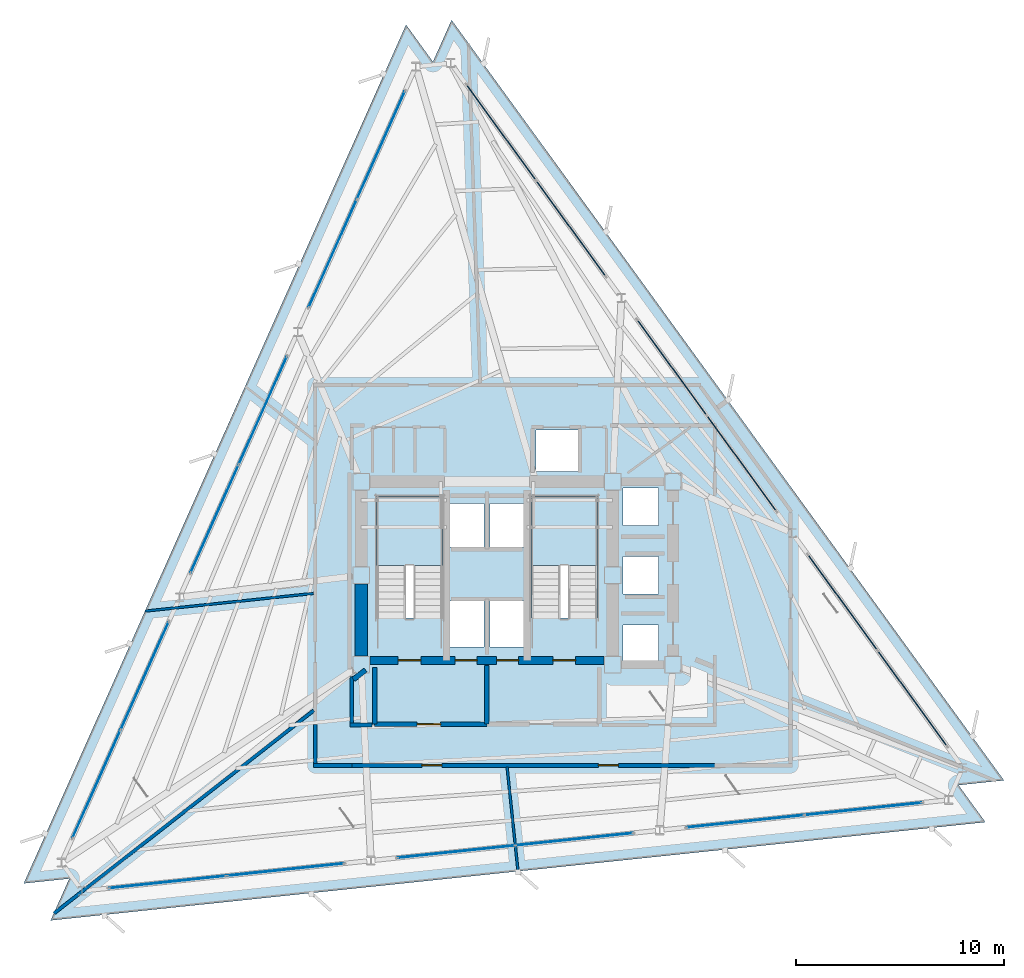
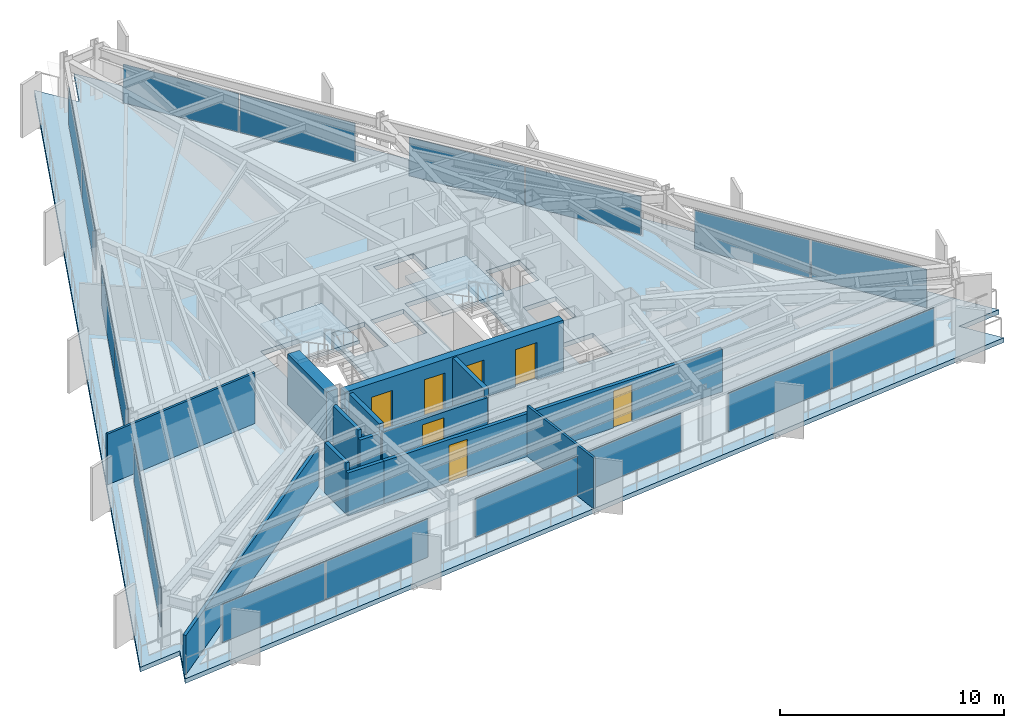
# One storey, part 7 of 12: 18 plates, 14 walls, 7 doors, 3 slabs, 7 openings, 11 elements without a shape of their own.
"""IFC4 building model written with IfcOpenShell, lengths in metres."""

from ifc_helpers import new_model, si_unit, direction, frame, frame_2d, origin, origin_2d, place, context, subcontext, project, spatial, polyline, rectangle, outline, extrude, material, layer, layer_set, type_object, element, fill, aggregate, save


model = new_model("IFC4")

# Units and contexts
model_context = context("Model", 3, precision=1e-05, world=origin(), true_north=direction((0.0, 1.0)))
body_context = subcontext(model_context, "Body", "Model", "MODEL_VIEW")
ifc_project = project(units=[si_unit("LENGTHUNIT", "METRE"), si_unit("AREAUNIT", "SQUARE_METRE"), si_unit("VOLUMEUNIT", "CUBIC_METRE"), si_unit("PLANEANGLEUNIT", "RADIAN"), si_unit("MASSUNIT", "GRAM", prefix="KILO")], contexts=[model_context])

# Site, building, storey
site_placement = place(None, origin())
site = spatial("IfcSite", under=ifc_project, at=site_placement, CompositionType="ELEMENT")
building_placement = place(site_placement, origin())
building = spatial("IfcBuilding", under=site, at=building_placement, Name="Rocaltana Carrier Exchange", CompositionType="ELEMENT")
storey_placement = place(building_placement, frame((0.0, 0.0, 110.719970703125)))
storey = spatial("IfcBuildingStorey", under=building, at=storey_placement, Name="L34", CompositionType="ELEMENT", Elevation=110.719970703125)

# Curtain wall, plates
ifc_material_1 = material(Name="Aluminium 6063-T6", Category="aluminium")
ifc_layer_1 = layer(ifc_material_1, 0.14990234375)
ifc_layer_set_1 = layer_set([ifc_layer_1], Name="Aluminium 6063-T6")
curtain_wall_type = type_object("IfcCurtainWallType", Name="Mid-Tower Unitised Curtain Wall CW-03", PredefinedType="NOTDEFINED", material=ifc_layer_set_1)
curtain_wall_1_placement = place(storey_placement, origin())
curtain_wall_1 = element("IfcCurtainWall", 1, at=curtain_wall_1_placement, inside=storey, type_object=curtain_wall_type, Name="L34 CW-03 Run CW-L34-F1S1", PredefinedType="NOTDEFINED")
ifc_material_2 = material(Name="Tempered Laminated Glass", Category="glass")
ifc_layer_2 = layer(ifc_material_2, 0.0400390625)
ifc_layer_set_2 = layer_set([ifc_layer_2], Name="Tempered Laminated Glass")
plate_type = type_object("IfcPlateType", Name="CW-03 Stone-Insulated Vision Panel", PredefinedType="CURTAIN_PANEL", material=ifc_layer_set_2)
plate_1_placement = place(storey_placement, frame((20.4580078125, -5.925048828125, 0.06005859375), z_axis=(0.0, 0.0, 1.0), x_axis=(-0.587789985889, 0.809013555195, 0.0)))
plate_1 = element("IfcPlate", 2, at=plate_1_placement, type_object=plate_type, Name="CW-03 panel 1.1", PredefinedType="CURTAIN_PANEL", context=body_context, shape_type="SweptSolid", body=[
    extrude(rectangle(XDim=5.643310546875, YDim=0.0400390625, at=origin_2d()), origin(), (0.0, 0.0, 1.0), 2.097900390625),
])
plate_2_placement = place(storey_placement, frame((17.105712890625, -1.310791015625, 0.06005859375), z_axis=(0.0, 0.0, 1.0), x_axis=(-0.587789985889, 0.809013555195, 0.0)))
plate_2 = element("IfcPlate", 3, at=plate_2_placement, type_object=plate_type, Name="CW-03 panel 2.1", PredefinedType="CURTAIN_PANEL", context=body_context, shape_type="SweptSolid", body=[
    extrude(rectangle(XDim=5.643310546875, YDim=0.0400390625, at=origin_2d()), origin(), (0.0, 0.0, 1.0), 2.097900390625),
])
aggregate(curtain_wall_1, [plate_1, plate_2])

curtain_wall_2_placement = place(storey_placement, origin())
curtain_wall_2 = element("IfcCurtainWall", 4, at=curtain_wall_2_placement, inside=storey, type_object=curtain_wall_type, Name="L34 CW-03 Run CW-L34-F1S2", PredefinedType="NOTDEFINED")
plate_3_placement = place(storey_placement, frame((12.248779296875, 5.374267578125, 0.06005859375), z_axis=(0.0, 0.0, 1.0), x_axis=(-0.587789985889, 0.809013555195, 0.0)))
plate_3 = element("IfcPlate", 5, at=plate_3_placement, type_object=plate_type, Name="CW-03 panel 1.1", PredefinedType="CURTAIN_PANEL", context=body_context, shape_type="SweptSolid", body=[
    extrude(rectangle(XDim=5.643310546875, YDim=0.0400390625, at=origin_2d()), origin(), (0.0, 0.0, 1.0), 2.097900390625),
])
plate_4_placement = place(storey_placement, frame((8.896240234375, 9.98828125, 0.06005859375), z_axis=(0.0, 0.0, 1.0), x_axis=(-0.587789985889, 0.809013555195, 0.0)))
plate_4 = element("IfcPlate", 6, at=plate_4_placement, type_object=plate_type, Name="CW-03 panel 2.1", PredefinedType="CURTAIN_PANEL", context=body_context, shape_type="SweptSolid", body=[
    extrude(rectangle(XDim=5.643310546875, YDim=0.0400390625, at=origin_2d()), origin(), (0.0, 0.0, 1.0), 2.097900390625),
])
aggregate(curtain_wall_2, [plate_3, plate_4])

curtain_wall_3_placement = place(storey_placement, origin())
curtain_wall_3 = element("IfcCurtainWall", 7, at=curtain_wall_3_placement, inside=storey, type_object=curtain_wall_type, Name="L34 CW-03 Run CW-L34-F1S3", PredefinedType="NOTDEFINED")
plate_5_placement = place(storey_placement, frame((4.039306640625, 16.673583984375, 0.06005859375), z_axis=(0.0, 0.0, 1.0), x_axis=(-0.587789985889, 0.809013555195, 0.0)))
plate_5 = element("IfcPlate", 8, at=plate_5_placement, type_object=plate_type, Name="CW-03 panel 1.1", PredefinedType="CURTAIN_PANEL", context=body_context, shape_type="SweptSolid", body=[
    extrude(rectangle(XDim=5.643310546875, YDim=0.0400390625, at=origin_2d()), origin(), (0.0, 0.0, 1.0), 2.097900390625),
])
plate_6_placement = place(storey_placement, frame((0.68701171875, 21.28759765625, 0.06005859375), z_axis=(0.0, 0.0, 1.0), x_axis=(-0.587789985889, 0.809013555195, 0.0)))
plate_6 = element("IfcPlate", 9, at=plate_6_placement, type_object=plate_type, Name="CW-03 panel 2.1", PredefinedType="CURTAIN_PANEL", context=body_context, shape_type="SweptSolid", body=[
    extrude(rectangle(XDim=5.643310546875, YDim=0.0400390625, at=origin_2d()), origin(), (0.0, 0.0, 1.0), 2.097900390625),
])
aggregate(curtain_wall_3, [plate_5, plate_6])

curtain_wall_4_placement = place(storey_placement, origin())
curtain_wall_4 = element("IfcCurtainWall", 10, at=curtain_wall_4_placement, inside=storey, type_object=curtain_wall_type, Name="L34 CW-03 Run CW-L34-F2S1", PredefinedType="NOTDEFINED")
plate_7_placement = place(storey_placement, frame((-5.097900390625, 20.6796875, 0.06005859375), z_axis=(0.0, 0.0, 1.0), x_axis=(-0.406740386206, -0.913543791084, 0.0)))
plate_7 = element("IfcPlate", 11, at=plate_7_placement, type_object=plate_type, Name="CW-03 panel 1.1", PredefinedType="CURTAIN_PANEL", context=body_context, shape_type="SweptSolid", body=[
    extrude(rectangle(XDim=5.643310546875, YDim=0.0400390625, at=origin_2d()), origin(), (0.0, 0.0, 1.0), 2.097900390625),
])
plate_8_placement = place(storey_placement, frame((-7.41748046875, 15.46923828125, 0.06005859375), z_axis=(0.0, 0.0, 1.0), x_axis=(-0.406740386206, -0.913543791084, 0.0)))
plate_8 = element("IfcPlate", 12, at=plate_8_placement, type_object=plate_type, Name="CW-03 panel 2.1", PredefinedType="CURTAIN_PANEL", context=body_context, shape_type="SweptSolid", body=[
    extrude(rectangle(XDim=5.643310546875, YDim=0.0400390625, at=origin_2d()), origin(), (0.0, 0.0, 1.0), 2.097900390625),
])
aggregate(curtain_wall_4, [plate_7, plate_8])

curtain_wall_5_placement = place(storey_placement, origin())
curtain_wall_5 = element("IfcCurtainWall", 13, at=curtain_wall_5_placement, inside=storey, type_object=curtain_wall_type, Name="L34 CW-03 Run CW-L34-F2S2", PredefinedType="NOTDEFINED")
plate_9_placement = place(storey_placement, frame((-10.778564453125, 7.92041015625, 0.06005859375), z_axis=(0.0, 0.0, 1.0), x_axis=(-0.406743626669, -0.913542348315, 0.0)))
plate_9 = element("IfcPlate", 14, at=plate_9_placement, type_object=plate_type, Name="CW-03 panel 1.1", PredefinedType="CURTAIN_PANEL", context=body_context, shape_type="SweptSolid", body=[
    extrude(rectangle(XDim=5.643310546875, YDim=0.0400390625, at=origin_2d()), origin(), (0.0, 0.0, 1.0), 2.097900390625),
])
plate_10_placement = place(storey_placement, frame((-13.098388671875, 2.710205078125, 0.06005859375), z_axis=(0.0, 0.0, 1.0), x_axis=(-0.406743626669, -0.913542348315, 0.0)))
plate_10 = element("IfcPlate", 15, at=plate_10_placement, type_object=plate_type, Name="CW-03 panel 2.1", PredefinedType="CURTAIN_PANEL", context=body_context, shape_type="SweptSolid", body=[
    extrude(rectangle(XDim=5.643310546875, YDim=0.0400390625, at=origin_2d()), origin(), (0.0, 0.0, 1.0), 2.097900390625),
])
aggregate(curtain_wall_5, [plate_9, plate_10])

curtain_wall_6_placement = place(storey_placement, origin())
curtain_wall_6 = element("IfcCurtainWall", 16, at=curtain_wall_6_placement, inside=storey, type_object=curtain_wall_type, Name="L34 CW-03 Run CW-L34-F2S3", PredefinedType="NOTDEFINED")
plate_11_placement = place(storey_placement, frame((-16.45947265625, -4.838623046875, 0.06005859375), z_axis=(0.0, 0.0, 1.0), x_axis=(-0.406733108077, -0.913547031517, 0.0)))
plate_11 = element("IfcPlate", 17, at=plate_11_placement, type_object=plate_type, Name="CW-03 panel 1.1", PredefinedType="CURTAIN_PANEL", context=body_context, shape_type="SweptSolid", body=[
    extrude(rectangle(XDim=5.643310546875, YDim=0.0400390625, at=origin_2d()), origin(), (0.0, 0.0, 1.0), 2.097900390625),
])
plate_12_placement = place(storey_placement, frame((-18.779052734375, -10.048828125, 0.06005859375), z_axis=(0.0, 0.0, 1.0), x_axis=(-0.406733108077, -0.913547031517, 0.0)))
plate_12 = element("IfcPlate", 18, at=plate_12_placement, type_object=plate_type, Name="CW-03 panel 2.1", PredefinedType="CURTAIN_PANEL", context=body_context, shape_type="SweptSolid", body=[
    extrude(rectangle(XDim=5.643310546875, YDim=0.0400390625, at=origin_2d()), origin(), (0.0, 0.0, 1.0), 2.097900390625),
])
aggregate(curtain_wall_6, [plate_11, plate_12])

curtain_wall_7_placement = place(storey_placement, origin())
curtain_wall_7 = element("IfcCurtainWall", 19, at=curtain_wall_7_placement, inside=storey, type_object=curtain_wall_type, Name="L34 CW-03 Run CW-L34-F3S1", PredefinedType="NOTDEFINED")
plate_13_placement = place(storey_placement, frame((-15.360107421875, -14.754638671875, 0.06005859375), z_axis=(0.0, 0.0, 1.0), x_axis=(0.994522594952, 0.104521806959, 0.0)))
plate_13 = element("IfcPlate", 20, at=plate_13_placement, type_object=plate_type, Name="CW-03 panel 1.1", PredefinedType="CURTAIN_PANEL", context=body_context, shape_type="SweptSolid", body=[
    extrude(rectangle(XDim=5.643310546875, YDim=0.0400390625, at=origin_2d()), origin(), (0.0, 0.0, 1.0), 2.097900390625),
])
plate_14_placement = place(storey_placement, frame((-9.688232421875, -14.15869140625, 0.06005859375), z_axis=(0.0, 0.0, 1.0), x_axis=(0.994522594952, 0.104521806959, 0.0)))
plate_14 = element("IfcPlate", 21, at=plate_14_placement, type_object=plate_type, Name="CW-03 panel 2.1", PredefinedType="CURTAIN_PANEL", context=body_context, shape_type="SweptSolid", body=[
    extrude(rectangle(XDim=5.643310546875, YDim=0.0400390625, at=origin_2d()), origin(), (0.0, 0.0, 1.0), 2.097900390625),
])
aggregate(curtain_wall_7, [plate_13, plate_14])

curtain_wall_8_placement = place(storey_placement, origin())
curtain_wall_8 = element("IfcCurtainWall", 22, at=curtain_wall_8_placement, inside=storey, type_object=curtain_wall_type, Name="L34 CW-03 Run CW-L34-F3S2", PredefinedType="NOTDEFINED")
plate_15_placement = place(storey_placement, frame((-1.469970703125, -13.294677734375, 0.06005859375), z_axis=(0.0, 0.0, 1.0), x_axis=(0.994521783658, 0.104529526113, 0.0)))
plate_15 = element("IfcPlate", 23, at=plate_15_placement, type_object=plate_type, Name="CW-03 panel 1.1", PredefinedType="CURTAIN_PANEL", context=body_context, shape_type="SweptSolid", body=[
    extrude(rectangle(XDim=5.643310546875, YDim=0.0400390625, at=origin_2d()), origin(), (0.0, 0.0, 1.0), 2.097900390625),
])
plate_16_placement = place(storey_placement, frame((4.2021484375, -12.69873046875, 0.06005859375), z_axis=(0.0, 0.0, 1.0), x_axis=(0.994521783658, 0.104529526113, 0.0)))
plate_16 = element("IfcPlate", 24, at=plate_16_placement, type_object=plate_type, Name="CW-03 panel 2.1", PredefinedType="CURTAIN_PANEL", context=body_context, shape_type="SweptSolid", body=[
    extrude(rectangle(XDim=5.643310546875, YDim=0.0400390625, at=origin_2d()), origin(), (0.0, 0.0, 1.0), 2.097900390625),
])
aggregate(curtain_wall_8, [plate_15, plate_16])

curtain_wall_9_placement = place(storey_placement, origin())
curtain_wall_9 = element("IfcCurtainWall", 25, at=curtain_wall_9_placement, inside=storey, type_object=curtain_wall_type, Name="L34 CW-03 Run CW-L34-F3S3", PredefinedType="NOTDEFINED")
plate_17_placement = place(storey_placement, frame((12.420166015625, -11.834716796875, 0.06005859375), z_axis=(0.0, 0.0, 1.0), x_axis=(0.994522594952, 0.104521806959, 0.0)))
plate_17 = element("IfcPlate", 26, at=plate_17_placement, type_object=plate_type, Name="CW-03 panel 1.1", PredefinedType="CURTAIN_PANEL", context=body_context, shape_type="SweptSolid", body=[
    extrude(rectangle(XDim=5.643310546875, YDim=0.0400390625, at=origin_2d()), origin(), (0.0, 0.0, 1.0), 2.097900390625),
])
plate_18_placement = place(storey_placement, frame((18.092041015625, -11.23876953125, 0.06005859375), z_axis=(0.0, 0.0, 1.0), x_axis=(0.994522594952, 0.104521806959, 0.0)))
plate_18 = element("IfcPlate", 27, at=plate_18_placement, type_object=plate_type, Name="CW-03 panel 2.1", PredefinedType="CURTAIN_PANEL", context=body_context, shape_type="SweptSolid", body=[
    extrude(rectangle(XDim=5.643310546875, YDim=0.0400390625, at=origin_2d()), origin(), (0.0, 0.0, 1.0), 2.097900390625),
])
aggregate(curtain_wall_9, [plate_17, plate_18])

# Slab
ifc_material_3 = material(Name="Concrete C50/60", Category="concrete")
ifc_layer_3 = layer(ifc_material_3, 0.25)
ifc_layer_set_3 = layer_set([ifc_layer_3], Name="Concrete C50/60")
slab_type_1 = type_object("IfcSlabType", Name="Mid-Zone Tower Slab 250", PredefinedType="FLOOR", material=ifc_layer_set_3)
slab_1_placement = place(storey_placement, frame((0.0, 0.0, -0.25)))
element("IfcSlab", 28, at=slab_1_placement, inside=storey, type_object=slab_type_1, Name="L34 Structural Floor Slab", PredefinedType="FLOOR", context=body_context, shape_type="SweptSolid", body=[
    extrude(outline(polyline([(23.972900390625, -11.87744140625), (22.6796875, -10.09765625), (24.86767578125, -9.86767578125), (-1.7001953125, 26.699951171875), (-2.594970703125, 24.690185546875), (-3.88818359375, 26.469970703125), (-22.272705078125, -14.822509765625), (-20.084716796875, -14.59228515625), (-20.9794921875, -16.602294921875), (23.972900390625, -11.87744140625)]), holes=[polyline([(-5.300048828125, -2.06005859375), (-2.139892578125, -2.06005859375), (-2.139892578125, 3.800048828125), (-5.300048828125, 3.800048828125), (-5.300048828125, -2.06005859375)]), polyline([(2.139892578125, -2.06005859375), (5.300048828125, -2.06005859375), (5.300048828125, 3.800048828125), (2.139892578125, 3.800048828125), (2.139892578125, -2.06005859375)]), polyline([(-1.85009765625, -3.449951171875), (-0.14990234375, -3.449951171875), (-0.14990234375, -1.25), (-1.85009765625, -1.25), (-1.85009765625, -3.449951171875)]), polyline([(0.14990234375, -3.449951171875), (1.85009765625, -3.449951171875), (1.85009765625, -1.25), (0.14990234375, -1.25), (0.14990234375, -3.449951171875)]), polyline([(2.35009765625, 4.97998046875), (4.39990234375, 4.97998046875), (4.39990234375, 6.97998046875), (2.35009765625, 6.97998046875), (2.35009765625, 4.97998046875)]), polyline([(-1.85009765625, 1.35009765625), (-0.14990234375, 1.35009765625), (-0.14990234375, 3.449951171875), (-1.85009765625, 3.449951171875), (-1.85009765625, 1.35009765625)]), polyline([(0.14990234375, 1.35009765625), (1.85009765625, 1.35009765625), (1.85009765625, 3.449951171875), (0.14990234375, 3.449951171875), (0.14990234375, 1.35009765625)]), polyline([(6.550048828125, -4.199951171875), (8.25, -4.199951171875), (8.25, -2.39990234375), (6.550048828125, -2.39990234375), (6.550048828125, -4.199951171875)]), polyline([(6.550048828125, -0.89990234375), (8.25, -0.89990234375), (8.25, 0.89990234375), (6.550048828125, 0.89990234375), (6.550048828125, -0.89990234375)]), polyline([(6.550048828125, 2.39990234375), (8.25, 2.39990234375), (8.25, 4.199951171875), (6.550048828125, 4.199951171875), (6.550048828125, 2.39990234375)])]), origin(), (0.0, 0.0, 1.0), 0.25),
])

# Stair, slab
ifc_material_4 = material(Name="Precast concrete C45/55", Category="concrete")
stair_type = type_object("IfcStairType", Name="Standard Dog-Leg Stair 160", PredefinedType="HALF_TURN_STAIR", material=ifc_material_4)
stair_1_placement = place(storey_placement, origin())
stair_1 = element("IfcStair", 29, at=stair_1_placement, inside=storey, type_object=stair_type, Name="L34 Core West Exit Stair ST-1", PredefinedType="HALF_TURN_STAIR")
ifc_material_5 = material(Name="Precast concrete C45/55", Category="concrete")
ifc_layer_4 = layer(ifc_material_5, 0.199951171875)
ifc_layer_set_4 = layer_set([ifc_layer_4], Name="Precast concrete C45/55")
slab_type_2 = type_object("IfcSlabType", Name="Precast Stair Half-Landing 200", PredefinedType="LANDING", material=ifc_layer_set_4)
slab_2_placement = place(storey_placement, frame((0.0, 0.0, 1.320068359375)))
slab_2 = element("IfcSlab", 30, at=slab_2_placement, type_object=slab_type_2, Name="ST-1 landing 1", PredefinedType="LANDING", context=body_context, shape_type="SweptSolid", body=[
    extrude(outline(polyline([(-2.139892578125, 0.4599609375), (-2.139892578125, 3.800048828125), (-5.300048828125, 3.800048828125), (-5.300048828125, 0.4599609375), (-2.139892578125, 0.4599609375)])), origin(), (0.0, 0.0, 1.0), 0.199951171875),
])
aggregate(stair_1, [slab_2])

stair_2_placement = place(storey_placement, origin())
stair_2 = element("IfcStair", 31, at=stair_2_placement, inside=storey, type_object=stair_type, Name="L34 Core East Exit Stair ST-2", PredefinedType="HALF_TURN_STAIR")
slab_3_placement = place(storey_placement, frame((0.0, 0.0, 1.320068359375)))
slab_3 = element("IfcSlab", 32, at=slab_3_placement, type_object=slab_type_2, Name="ST-2 landing 1", PredefinedType="LANDING", context=body_context, shape_type="SweptSolid", body=[
    extrude(outline(polyline([(5.300048828125, 0.4599609375), (5.300048828125, 3.800048828125), (2.139892578125, 3.800048828125), (2.139892578125, 0.4599609375), (5.300048828125, 0.4599609375)])), origin(), (0.0, 0.0, 1.0), 0.199951171875),
])
aggregate(stair_2, [slab_3])

# Wall
ifc_material_6 = material(Name="Double Acoustic Gypsum Partition", Category="gypsum")
ifc_layer_5 = layer(ifc_material_6, 0.159912109375)
ifc_layer_set_5 = layer_set([ifc_layer_5], Name="Double Acoustic Gypsum Partition")
wall_type_1 = type_object("IfcWallType", Name="Acoustic Studio Partition 160 EI60", PredefinedType="PARTITIONING", material=ifc_layer_set_5)
wall_1_placement = place(storey_placement, frame((-8.330078125, -6.508056640625, 0.0), z_axis=(0.0, 0.0, 1.0), x_axis=(-0.788011528275, -0.615660483794, 0.0)))
element("IfcWall", 33, at=wall_1_placement, inside=storey, type_object=wall_type_1, Name="L34 Suite Divider Wall D3", PredefinedType="PARTITIONING", context=body_context, shape_type="SweptSolid", body=[
    extrude(rectangle(XDim=15.84814453125, YDim=0.159912109375, at=frame_2d((7.924072265625, 0.0))), origin(), (0.0, 0.0, 1.0), 2.132080078125),
])

# Wall, openings, doors
ifc_material_7 = material(Name="Concrete C50/60", Category="concrete")
ifc_layer_6 = layer(ifc_material_7, 0.39990234375)
ifc_layer_set_6 = layer_set([ifc_layer_6], Name="Concrete C50/60")
wall_type_2 = type_object("IfcWallType", Name="Core Internal Shear Wall 400", PredefinedType="SHEAR", material=ifc_layer_set_6)
wall_2_placement = place(storey_placement, frame((-5.625, -4.10009765625, 0.0), z_axis=(0.0, 0.0, 1.0), x_axis=(1.0, 0.0, 0.0)))
wall_2 = element("IfcWall", 34, at=wall_2_placement, inside=storey, type_object=wall_type_2, Name="L34 Core Shear Wall CW-S", PredefinedType="SHEAR", context=body_context, shape_type="SweptSolid", body=[
    extrude(rectangle(XDim=11.25, YDim=0.39990234375, at=frame_2d((5.625, 0.0))), origin(), (0.0, 0.0, 1.0), 2.7880859375),
])
opening_1_placement = place(wall_2_placement, frame((1.35498046875, 0.0, 0.0)))
opening_1 = element("IfcOpeningElement", 35, at=opening_1_placement, cuts=wall_2, Name="Opening D-ST110", PredefinedType="OPENING", context=body_context, shape_type="SweptSolid", body=[
    extrude(rectangle(XDim=1.10009765625, YDim=2.0400390625, at=frame_2d((0.550048828125, 1.02001953125))), frame((0.0, 0.2099609375, 0.0), z_axis=(0.0, -1.0, 0.0), x_axis=(1.0, 0.0, 0.0)), (0.0, 0.0, 1.0), 0.419921875),
])
opening_2_placement = place(wall_2_placement, frame((8.794921875, 0.0, 0.0)))
opening_2 = element("IfcOpeningElement", 36, at=opening_2_placement, cuts=wall_2, Name="Opening D-ST110", PredefinedType="OPENING", context=body_context, shape_type="SweptSolid", body=[
    extrude(rectangle(XDim=1.10009765625, YDim=2.0400390625, at=frame_2d((0.550048828125, 1.02001953125))), frame((0.0, 0.2099609375, 0.0), z_axis=(0.0, -1.0, 0.0), x_axis=(1.0, 0.0, 0.0)), (0.0, 0.0, 1.0), 0.419921875),
])
opening_3_placement = place(wall_2_placement, frame((4.094970703125, 0.0, 0.0)))
opening_3 = element("IfcOpeningElement", 37, at=opening_3_placement, cuts=wall_2, Name="Opening LD-110", PredefinedType="OPENING", context=body_context, shape_type="SweptSolid", body=[
    extrude(rectangle(XDim=1.06005859375, YDim=2.0400390625, at=frame_2d((0.530029296875, 1.02001953125))), frame((0.0, 0.2099609375, 0.0), z_axis=(0.0, -1.0, 0.0), x_axis=(1.0, 0.0, 0.0)), (0.0, 0.0, 1.0), 0.419921875),
])
opening_4_placement = place(wall_2_placement, frame((6.094970703125, 0.0, 0.0)))
opening_4 = element("IfcOpeningElement", 38, at=opening_4_placement, cuts=wall_2, Name="Opening LD-110", PredefinedType="OPENING", context=body_context, shape_type="SweptSolid", body=[
    extrude(rectangle(XDim=1.06005859375, YDim=2.0400390625, at=frame_2d((0.530029296875, 1.02001953125))), frame((0.0, 0.2099609375, 0.0), z_axis=(0.0, -1.0, 0.0), x_axis=(1.0, 0.0, 0.0)), (0.0, 0.0, 1.0), 0.419921875),
])
ifc_material_8 = material(Name="Hollow Metal Fire Door Assembly", Category="steel")
door_type_1 = type_object("IfcDoorType", Name="Exit Stair Fire Door 1100x2040 FD90S", OperationType="NOTDEFINED", PredefinedType="DOOR", material=ifc_material_8)
door_1_placement = place(opening_1_placement, origin())
door_1 = element("IfcDoor", 39, at=door_1_placement, inside=storey, type_object=door_type_1, Name="L34 Exit Stair ST1 Fire Door", OperationType="SINGLE_SWING_RIGHT", OverallHeight=2.0400390625, OverallWidth=1.10009765625, PredefinedType="DOOR", context=body_context, shape_type="SweptSolid", body=[
    extrude(rectangle(XDim=1.10009765625, YDim=2.0400390625, at=frame_2d((0.550048828125, 1.02001953125))), frame((0.0, 0.02490234375, 0.0), z_axis=(0.0, -1.0, 0.0), x_axis=(1.0, 0.0, 0.0)), (0.0, 0.0, 1.0), 0.050048828125),
])
fill(opening_1, door_1)
door_2_placement = place(opening_2_placement, origin())
door_2 = element("IfcDoor", 40, at=door_2_placement, inside=storey, type_object=door_type_1, Name="L34 Exit Stair ST2 Fire Door", OperationType="SINGLE_SWING_LEFT", OverallHeight=2.0400390625, OverallWidth=1.10009765625, PredefinedType="DOOR", context=body_context, shape_type="SweptSolid", body=[
    extrude(rectangle(XDim=1.10009765625, YDim=2.0400390625, at=frame_2d((0.550048828125, 1.02001953125))), frame((0.0, 0.02490234375, 0.0), z_axis=(0.0, -1.0, 0.0), x_axis=(1.0, 0.0, 0.0)), (0.0, 0.0, 1.0), 0.050048828125),
])
fill(opening_2, door_2)
ifc_material_9 = material(Name="Brushed Stainless Sliding Door Leaf", Category="steel")
door_type_2 = type_object("IfcDoorType", Name="Lift Landing Sliding Door 1060x2040", OperationType="NOTDEFINED", PredefinedType="DOOR", material=ifc_material_9)
door_3_placement = place(opening_3_placement, origin())
door_3 = element("IfcDoor", 41, at=door_3_placement, inside=storey, type_object=door_type_2, Name="L34 Firefighting Lift FFL1 Landing Door", OperationType="SLIDING_TO_LEFT", OverallHeight=2.0400390625, OverallWidth=1.06005859375, PredefinedType="DOOR", context=body_context, shape_type="SweptSolid", body=[
    extrude(rectangle(XDim=1.06005859375, YDim=2.0400390625, at=frame_2d((0.530029296875, 1.02001953125))), frame((0.0, 0.02490234375, 0.0), z_axis=(0.0, -1.0, 0.0), x_axis=(1.0, 0.0, 0.0)), (0.0, 0.0, 1.0), 0.050048828125),
])
fill(opening_3, door_3)
door_4_placement = place(opening_4_placement, origin())
door_4 = element("IfcDoor", 42, at=door_4_placement, inside=storey, type_object=door_type_2, Name="L34 Firefighting Lift FFL2 Landing Door", OperationType="SLIDING_TO_RIGHT", OverallHeight=2.0400390625, OverallWidth=1.06005859375, PredefinedType="DOOR", context=body_context, shape_type="SweptSolid", body=[
    extrude(rectangle(XDim=1.06005859375, YDim=2.0400390625, at=frame_2d((0.530029296875, 1.02001953125))), frame((0.0, 0.02490234375, 0.0), z_axis=(0.0, -1.0, 0.0), x_axis=(1.0, 0.0, 0.0)), (0.0, 0.0, 1.0), 0.050048828125),
])
fill(opening_4, door_4)

# Walls
ifc_material_10 = material(Name="Concrete C50/60", Category="concrete")
ifc_layer_7 = layer(ifc_material_10, 0.60009765625)
ifc_layer_set_7 = layer_set([ifc_layer_7], Name="Concrete C50/60")
wall_type_3 = type_object("IfcWallType", Name="Core Shear Wall 600", PredefinedType="SHEAR", material=ifc_layer_set_7)
wall_3_placement = place(storey_placement, frame((-6.050048828125, -3.875, 0.0), z_axis=(0.0, 0.0, 1.0), x_axis=(0.0, 1.0, 0.0)))
element("IfcWall", 43, at=wall_3_placement, inside=storey, type_object=wall_type_3, Name="L34 Core Shear Wall CW-WS", PredefinedType="SHEAR", context=body_context, shape_type="SweptSolid", body=[
    extrude(rectangle(XDim=3.449951171875, YDim=0.60009765625, at=frame_2d((1.72509765625, 0.0))), origin(), (0.0, 0.0, 1.0), 2.7880859375),
])
ifc_material_11 = material(Name="Gypsum & Steel Stud Partition", Category="steel")
ifc_layer_8 = layer(ifc_material_11, 0.179931640625)
ifc_layer_set_8 = layer_set([ifc_layer_8], Name="Gypsum & Steel Stud Partition")
wall_type_4 = type_object("IfcWallType", Name="Corridor Fire Partition 180 EI60", PredefinedType="PARTITIONING", material=ifc_layer_set_8)
wall_4_placement = place(storey_placement, frame((-6.47998046875, -9.14990234375, 0.0), z_axis=(0.0, 0.0, 1.0), x_axis=(-1.0, 0.0, 0.0)))
element("IfcWall", 44, at=wall_4_placement, inside=storey, type_object=wall_type_4, Name="L34 Corridor Partition 1", PredefinedType="PARTITIONING", context=body_context, shape_type="SweptSolid", body=[
    extrude(rectangle(XDim=1.860107421875, YDim=0.179931640625, at=frame_2d((0.93017578125, 0.0))), origin(), (0.0, 0.0, 1.0), 2.330078125),
])
wall_5_placement = place(storey_placement, frame((-8.25, -9.06005859375, 0.0), z_axis=(0.0, 0.0, 1.0), x_axis=(0.0, 1.0, 0.0)))
element("IfcWall", 45, at=wall_5_placement, inside=storey, type_object=wall_type_4, Name="L34 Corridor Partition 2", PredefinedType="PARTITIONING", context=body_context, shape_type="SweptSolid", body=[
    extrude(rectangle(XDim=1.880126953125, YDim=0.179931640625, at=frame_2d((0.93994140625, 0.0))), origin(), (0.0, 0.0, 1.0), 2.762939453125),
])

# Wall, openings, doors
wall_6_placement = place(storey_placement, frame((10.97998046875, -9.14990234375, 0.0), z_axis=(0.0, 0.0, 1.0), x_axis=(-1.0, 0.0, 0.0)))
wall_6 = element("IfcWall", 46, at=wall_6_placement, inside=storey, type_object=wall_type_4, Name="L34 Corridor Partition 11", PredefinedType="PARTITIONING", context=body_context, shape_type="SweptSolid", body=[
    extrude(rectangle(XDim=17.5, YDim=0.179931640625, at=frame_2d((8.75, 0.0))), origin(), (0.0, 0.0, 1.0), 2.330078125),
])
opening_5_placement = place(wall_6_placement, frame((13.14501953125, 0.0, 0.0)))
opening_5 = element("IfcOpeningElement", 47, at=opening_5_placement, cuts=wall_6, Name="Opening D-RM098", PredefinedType="OPENING", context=body_context, shape_type="SweptSolid", body=[
    extrude(rectangle(XDim=0.9599609375, YDim=2.02001953125, at=frame_2d((0.47998046875, 1.010009765625))), frame((0.0, 0.099853515625, 0.0), z_axis=(0.0, -1.0, 0.0), x_axis=(1.0, 0.0, 0.0)), (0.0, 0.0, 1.0), 0.199951171875),
])
opening_6_placement = place(wall_6_placement, frame((4.65478515625, 0.0, 0.0)))
opening_6 = element("IfcOpeningElement", 48, at=opening_6_placement, cuts=wall_6, Name="Opening D-RM098", PredefinedType="OPENING", context=body_context, shape_type="SweptSolid", body=[
    extrude(rectangle(XDim=0.9599609375, YDim=2.02001953125, at=frame_2d((0.47998046875, 1.010009765625))), frame((0.0, 0.099853515625, 0.0), z_axis=(0.0, -1.0, 0.0), x_axis=(1.0, 0.0, 0.0)), (0.0, 0.0, 1.0), 0.199951171875),
])
ifc_material_12 = material(Name="Engineered Hardwood Timber", Category="wood")
door_type_3 = type_object("IfcDoorType", Name="Workspace Single Door 960x2020", OperationType="NOTDEFINED", PredefinedType="DOOR", material=ifc_material_12)
door_5_placement = place(opening_5_placement, origin())
door_5 = element("IfcDoor", 49, at=door_5_placement, inside=storey, type_object=door_type_3, Name="L34 Network Operations Office Entrance Door", OperationType="SINGLE_SWING_LEFT", OverallHeight=2.02001953125, OverallWidth=0.9599609375, PredefinedType="DOOR", context=body_context, shape_type="SweptSolid", body=[
    extrude(rectangle(XDim=0.9599609375, YDim=2.02001953125, at=frame_2d((0.47998046875, 1.010009765625))), frame((0.0, 0.02490234375, 0.0), z_axis=(0.0, -1.0, 0.0), x_axis=(1.0, 0.0, 0.0)), (0.0, 0.0, 1.0), 0.050048828125),
])
fill(opening_5, door_5)
door_6_placement = place(opening_6_placement, origin())
door_6 = element("IfcDoor", 50, at=door_6_placement, inside=storey, type_object=door_type_3, Name="L34 Cloud Architecture Office Entrance Door", OperationType="SINGLE_SWING_RIGHT", OverallHeight=2.02001953125, OverallWidth=0.9599609375, PredefinedType="DOOR", context=body_context, shape_type="SweptSolid", body=[
    extrude(rectangle(XDim=0.9599609375, YDim=2.02001953125, at=frame_2d((0.47998046875, 1.010009765625))), frame((0.0, 0.02490234375, 0.0), z_axis=(0.0, -1.0, 0.0), x_axis=(1.0, 0.0, 0.0)), (0.0, 0.0, 1.0), 0.050048828125),
])
fill(opening_6, door_6)

# Walls
wall_7_placement = place(storey_placement, frame((-6.5, -4.8798828125, 0.0), z_axis=(0.0, 0.0, 1.0), x_axis=(0.0, -1.0, 0.0)))
element("IfcWall", 51, at=wall_7_placement, inside=storey, type_object=wall_type_4, Name="L34 Corridor Partition 19", PredefinedType="PARTITIONING", context=body_context, shape_type="SweptSolid", body=[
    extrude(rectangle(XDim=2.230224609375, YDim=0.179931640625, at=frame_2d((1.115234375, 0.0))), origin(), (0.0, 0.0, 1.0), 2.762939453125),
])
wall_8_placement = place(storey_placement, frame((-6.590087890625, -7.199951171875, 0.0), z_axis=(0.0, 0.0, 1.0), x_axis=(1.0, 0.0, 0.0)))
element("IfcWall", 52, at=wall_8_placement, inside=storey, type_object=wall_type_4, Name="L34 Corridor Partition 20", PredefinedType="PARTITIONING", context=body_context, shape_type="SweptSolid", body=[
    extrude(rectangle(XDim=1.06005859375, YDim=0.179931640625, at=frame_2d((0.530029296875, 0.0))), origin(), (0.0, 0.0, 1.0), 2.330078125),
])
ifc_material_13 = material(Name="Aluminium 6063-T6 & Acoustic Glass", Category="aluminium")
ifc_layer_9 = layer(ifc_material_13, 0.114990234375)
ifc_layer_set_9 = layer_set([ifc_layer_9], Name="Aluminium 6063-T6 & Acoustic Glass")
wall_type_5 = type_object("IfcWallType", Name="Demountable Glazed Lab Partition 115", PredefinedType="MOVABLE", material=ifc_layer_set_9)
wall_9_placement = place(storey_placement, frame((-8.330078125, -0.87548828125, 0.0), z_axis=(0.0, 0.0, 1.0), x_axis=(-0.994520879121, -0.104538131765, 0.0)))
element("IfcWall", 53, at=wall_9_placement, inside=storey, type_object=wall_type_5, Name="L34 Suite Divider Wall D1", PredefinedType="MOVABLE", context=body_context, shape_type="SweptSolid", body=[
    extrude(rectangle(XDim=8.14599609375, YDim=0.114990234375, at=frame_2d((4.072998046875, 0.0))), origin(), (0.0, 0.0, 1.0), 2.762939453125),
])
wall_10_placement = place(storey_placement, frame((0.97021484375, -9.22998046875, 0.0), z_axis=(0.0, 0.0, 1.0), x_axis=(0.104502779655, -0.994524594489, 0.0)))
element("IfcWall", 54, at=wall_10_placement, inside=storey, type_object=wall_type_5, Name="L34 Suite Divider Wall D4", PredefinedType="MOVABLE", context=body_context, shape_type="SweptSolid", body=[
    extrude(rectangle(XDim=5.027587890625, YDim=0.114990234375, at=frame_2d((2.513671875, 0.0))), origin(), (0.0, 0.0, 1.0), 2.762939453125),
])
ifc_material_14 = material(Name="Autoclaved Aerated Concrete C30/37", Category="concrete")
ifc_layer_10 = layer(ifc_material_14, 0.219970703125)
ifc_layer_set_10 = layer_set([ifc_layer_10], Name="Autoclaved Aerated Concrete C30/37")
wall_type_6 = type_object("IfcWallType", Name="Firefighting Lobby Wall 220 EI120", PredefinedType="PARTITIONING", material=ifc_layer_set_10)
wall_11_placement = place(storey_placement, frame((-5.39990234375, -7.159912109375, 0.0), z_axis=(0.0, 0.0, 1.0), x_axis=(0.0, 1.0, 0.0)))
element("IfcWall", 55, at=wall_11_placement, inside=storey, type_object=wall_type_6, Name="L34 FFL Lobby 1 West Wall", PredefinedType="PARTITIONING", context=body_context, shape_type="SweptSolid", body=[
    extrude(rectangle(XDim=2.7099609375, YDim=0.219970703125, at=frame_2d((1.35498046875, 0.0))), origin(), (0.0, 0.0, 1.0), 2.762939453125),
])
wall_12_placement = place(storey_placement, frame((0.0, -7.159912109375, 0.0), z_axis=(0.0, 0.0, 1.0), x_axis=(0.0, 1.0, 0.0)))
element("IfcWall", 56, at=wall_12_placement, inside=storey, type_object=wall_type_6, Name="L34 FFL Lobby Centre Wall", PredefinedType="PARTITIONING", context=body_context, shape_type="SweptSolid", body=[
    extrude(rectangle(XDim=2.809814453125, YDim=0.219970703125, at=frame_2d((1.40478515625, 0.0))), origin(), (0.0, 0.0, 1.0), 2.762939453125),
])

# Wall, opening, door
wall_13_placement = place(storey_placement, frame((-5.39990234375, -7.159912109375, 0.0), z_axis=(0.0, 0.0, 1.0), x_axis=(1.0, 0.0, 0.0)))
wall_13 = element("IfcWall", 57, at=wall_13_placement, inside=storey, type_object=wall_type_6, Name="L34 FFL Lobby 1 South Wall", PredefinedType="PARTITIONING", context=body_context, shape_type="SweptSolid", body=[
    extrude(rectangle(XDim=5.39990234375, YDim=0.219970703125, at=frame_2d((2.699951171875, 0.0))), origin(), (0.0, 0.0, 1.0), 2.330078125),
])
opening_7_placement = place(wall_13_placement, frame((2.050048828125, 0.0, 0.0)))
opening_7 = element("IfcOpeningElement", 58, at=opening_7_placement, cuts=wall_13, Name="Opening D-FF115", PredefinedType="OPENING", context=body_context, shape_type="SweptSolid", body=[
    extrude(rectangle(XDim=1.1201171875, YDim=2.02001953125, at=frame_2d((0.56005859375, 1.010009765625))), frame((0.0, 0.119873046875, 0.0), z_axis=(0.0, -1.0, 0.0), x_axis=(1.0, 0.0, 0.0)), (0.0, 0.0, 1.0), 0.239990234375),
])
ifc_material_15 = material(Name="Hollow Metal Fire Door Assembly", Category="steel")
door_type_4 = type_object("IfcDoorType", Name="Firefighting Lobby Door 1120x2020 FD60S", OperationType="NOTDEFINED", PredefinedType="DOOR", material=ifc_material_15)
door_7_placement = place(opening_7_placement, origin())
door_7 = element("IfcDoor", 59, at=door_7_placement, inside=storey, type_object=door_type_4, Name="L34 Firefighting Lift Lobby 1 Door", OperationType="SINGLE_SWING_RIGHT", OverallHeight=2.02001953125, OverallWidth=1.1201171875, PredefinedType="DOOR", context=body_context, shape_type="SweptSolid", body=[
    extrude(rectangle(XDim=1.1201171875, YDim=2.02001953125, at=frame_2d((0.56005859375, 1.010009765625))), frame((0.0, 0.02490234375, 0.0), z_axis=(0.0, -1.0, 0.0), x_axis=(1.0, 0.0, 0.0)), (0.0, 0.0, 1.0), 0.050048828125),
])
fill(opening_7, door_7)

# Wall
ifc_material_16 = material(Name="Acoustic Calcium Silicate Partition", Category="gypsum")
ifc_layer_11 = layer(ifc_material_16, 0.239990234375)
ifc_layer_set_11 = layer_set([ifc_layer_11], Name="Acoustic Calcium Silicate Partition")
wall_type_7 = type_object("IfcWallType", Name="Heavy Lab Partition 240 EI90", PredefinedType="PARTITIONING", material=ifc_layer_set_11)
wall_14_placement = place(storey_placement, frame((-5.83642578125, -4.56005859375, 0.0), z_axis=(0.0, 0.0, 1.0), x_axis=(-0.788054366409, -0.615605649408, 0.0)))
element("IfcWall", 60, at=wall_14_placement, inside=storey, type_object=wall_type_7, Name="L34 Suite Divider Wall D2", PredefinedType="PARTITIONING", context=body_context, shape_type="SweptSolid", body=[
    extrude(rectangle(XDim=0.740478515625, YDim=0.239990234375, at=frame_2d((0.3701171875, 0.0))), origin(), (0.0, 0.0, 1.0), 2.132080078125),
])

save(model, "model.ifc")
